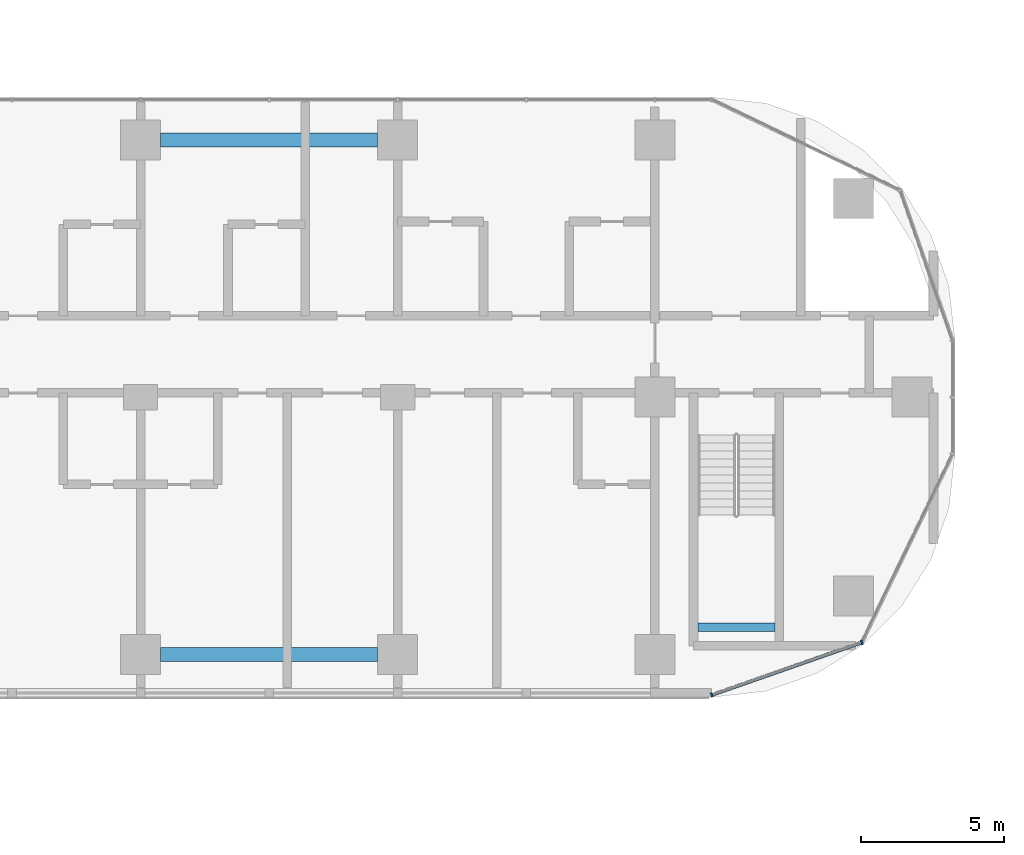
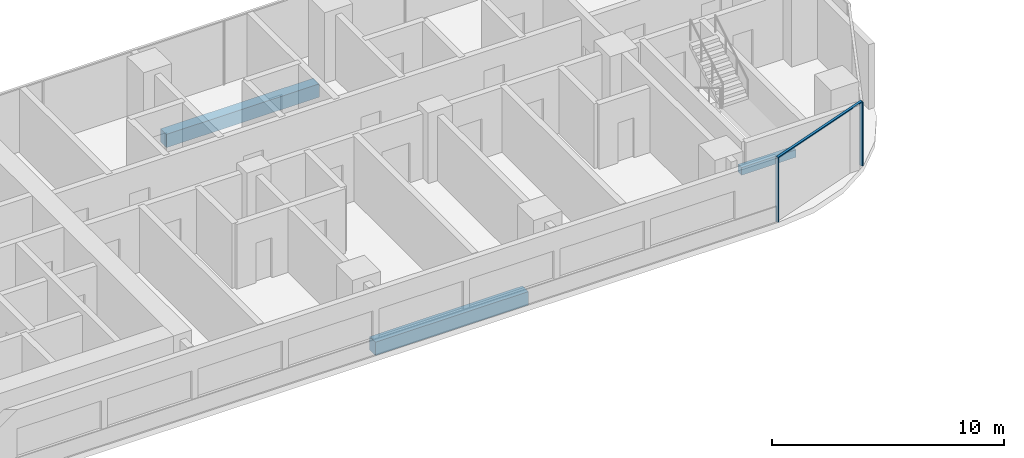
# One storey, part 3 of 33: 3 beams, 3 members, 1 element without a shape of its own.
"""IFC4 building model written with IfcOpenShell, lengths in metres."""

from ifc_helpers import new_model, si_unit, direction, frame, origin, origin_2d, place, context, subcontext, project, spatial, rectangle, extrude, material, material_profile, profile_set, type_object, element, aggregate, save


model = new_model("IFC4")

# Units and contexts
model_context = context("Model", 3, precision=1e-05, world=origin(), true_north=direction((0.0, 1.0)))
body_context = subcontext(model_context, "Body", "Model", "MODEL_VIEW")
ifc_project = project(units=[si_unit("LENGTHUNIT", "METRE"), si_unit("AREAUNIT", "SQUARE_METRE"), si_unit("VOLUMEUNIT", "CUBIC_METRE"), si_unit("PLANEANGLEUNIT", "RADIAN"), si_unit("MASSUNIT", "GRAM", prefix="KILO")], contexts=[model_context])

# Site, building, storey
site_placement = place(None, origin())
site = spatial("IfcSite", under=ifc_project, at=site_placement, CompositionType="ELEMENT")
building_placement = place(site_placement, origin())
building = spatial("IfcBuilding", under=site, at=building_placement, Name="Ogive Portal Towers", CompositionType="ELEMENT")
storey_placement = place(building_placement, frame((0.0, 0.0, 77.89990234375)))
storey = spatial("IfcBuildingStorey", under=building, at=storey_placement, Name="L18", CompositionType="ELEMENT", Elevation=77.89990234375)

# Beam
ifc_material_1 = material(Name="Concrete C40/50", Category="concrete")
ifc_material_profile_1 = material_profile(ifc_material_1, rectangle(XDim=0.300048828125, YDim=0.39990234375, at=origin_2d()), Name="RC 300x400")
ifc_profile_set_1 = profile_set([ifc_material_profile_1], Name="Concrete C40/50")
beam_type_1 = type_object("IfcBeamType", Name="BEAM RC 300x400", PredefinedType="BEAM", material=ifc_profile_set_1)
beam_placement = place(storey_placement, frame((87.0, 22.449951171875, 1.4501953125), z_axis=(1.0, 0.0, 0.0), x_axis=(0.0, 1.0, 0.0)))
element("IfcBeam", 1, at=beam_placement, inside=storey, type_object=beam_type_1, Name="Landing beam L18", PredefinedType="BEAM", context=body_context, shape_type="SweptSolid", body=[
    extrude(rectangle(XDim=0.300048828125, YDim=0.39990234375, at=origin_2d()), origin(), (0.0, 0.0, 1.0), 2.699951171875),
])

# Curtain wall, members
ifc_material_2 = material(Name="Glass, clear low-iron insulated glazing", Category="glass")
curtain_wall_type = type_object("IfcCurtainWallType", Name="CW FRONT RIBBON 4500", PredefinedType="NOTDEFINED", material=ifc_material_2)
curtain_wall_placement = place(storey_placement, origin())
curtain_wall = element("IfcCurtainWall", 2, at=curtain_wall_placement, inside=storey, type_object=curtain_wall_type, Name="A:L18:f07:cwa", PredefinedType="NOTDEFINED")
ifc_material_3 = material(Name="Aluminium 6063 anodised", Category="aluminium")
ifc_material_profile_2 = material_profile(ifc_material_3, rectangle(XDim=0.159912109375, YDim=0.06005859375, at=origin_2d()), Name="AL 60x160")
ifc_profile_set_2 = profile_set([ifc_material_profile_2], Name="Aluminium 6063 anodised")
member_type_1 = type_object("IfcMemberType", Name="CW MULLION 60x160", PredefinedType="MULLION", material=ifc_profile_set_2)
member_1_placement = place(storey_placement, frame((87.486328125, 20.080078125, 0.0), z_axis=(0.0, 0.0, 1.0), x_axis=(-0.33027906196, 0.943883330307, 0.0)))
member_1 = element("IfcMember", 3, at=member_1_placement, type_object=member_type_1, Name="mullion", PredefinedType="MULLION", context=body_context, shape_type="SweptSolid", body=[
    extrude(rectangle(XDim=0.159912109375, YDim=0.06005859375, at=origin_2d()), origin(), (0.0, 0.0, 1.0), 3.340087890625),
])
member_2_placement = place(storey_placement, frame((92.741943359375, 21.9189453125, 0.0), z_axis=(0.0, 0.0, 1.0), x_axis=(-0.33027906196, 0.943883330307, 0.0)))
member_2 = element("IfcMember", 4, at=member_2_placement, type_object=member_type_1, Name="mullion", PredefinedType="MULLION", context=body_context, shape_type="SweptSolid", body=[
    extrude(rectangle(XDim=0.159912109375, YDim=0.06005859375, at=origin_2d()), origin(), (0.0, 0.0, 1.0), 3.340087890625),
])
ifc_material_profile_3 = material_profile(ifc_material_3, rectangle(XDim=0.1201171875, YDim=0.06005859375, at=origin_2d()), Name="AL 120x60")
ifc_profile_set_3 = profile_set([ifc_material_profile_3], Name="Aluminium 6063 anodised")
member_type_2 = type_object("IfcMemberType", Name="CW TRANSOM 60x120", PredefinedType="USERDEFINED", material=ifc_profile_set_3)
member_3_placement = place(storey_placement, frame((87.486328125, 20.080078125, 3.3701171875), z_axis=(0.943891847017, 0.330254721593, 0.0), x_axis=(-0.330254721593, 0.943891847017, 0.0)))
member_3 = element("IfcMember", 5, at=member_3_placement, type_object=member_type_2, Name="transom", ObjectType="TRANSOM", PredefinedType="USERDEFINED", context=body_context, shape_type="SweptSolid", body=[
    extrude(rectangle(XDim=0.1201171875, YDim=0.06005859375, at=origin_2d()), origin(), (0.0, 0.0, 1.0), 5.568115234375),
])
aggregate(curtain_wall, [member_3, member_1, member_2])

# Beams
ifc_material_profile_4 = material_profile(ifc_material_1, rectangle(XDim=0.5, YDim=0.699951171875, at=origin_2d()), Name="RC 500x700")
ifc_profile_set_4 = profile_set([ifc_material_profile_4], Name="Concrete C40/50")
beam_type_2 = type_object("IfcBeamType", Name="SPANDREL BEAM RC 500x700", PredefinedType="BEAM", material=ifc_profile_set_4)
for number, where, z_axis, x_axis, name in (
    (6, (68.199951171875, 39.5, -0.64990234375), (1.0, 0.0, 0.0), (0.0, 1.0, 0.0), "Spandrel beam L18"),
    (7, (75.800048828125, 21.5, -0.64990234375), (-1.0, 0.0, 0.0), (0.0, -1.0, 0.0), "Spandrel beam L18"),
):
    element("IfcBeam", number, at=place(storey_placement, frame(where, z_axis=z_axis, x_axis=x_axis)), inside=storey, type_object=beam_type_2, Name=name, PredefinedType="BEAM", context=body_context, shape_type="SweptSolid", body=[
        extrude(rectangle(XDim=0.5, YDim=0.699951171875, at=origin_2d()), origin(), (0.0, 0.0, 1.0), 7.60009765625),
    ])

save(model, "model.ifc")
